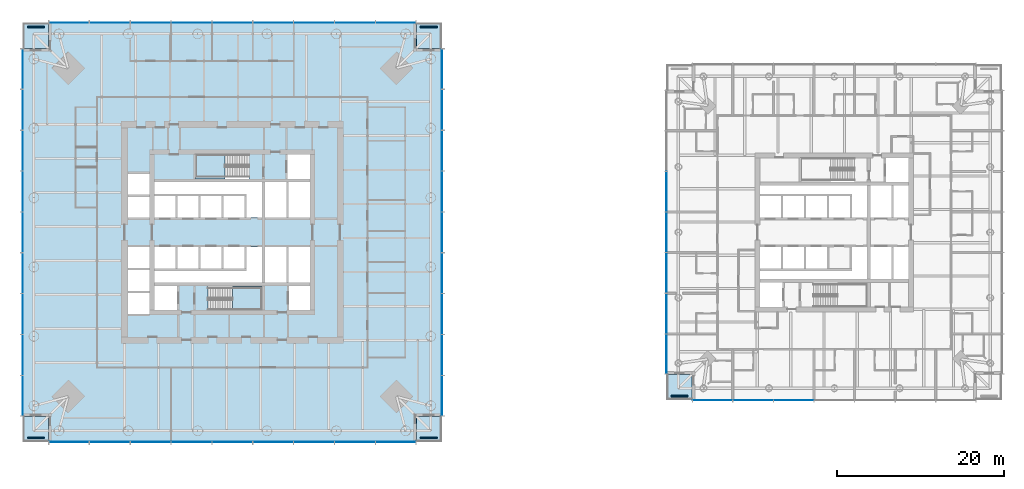
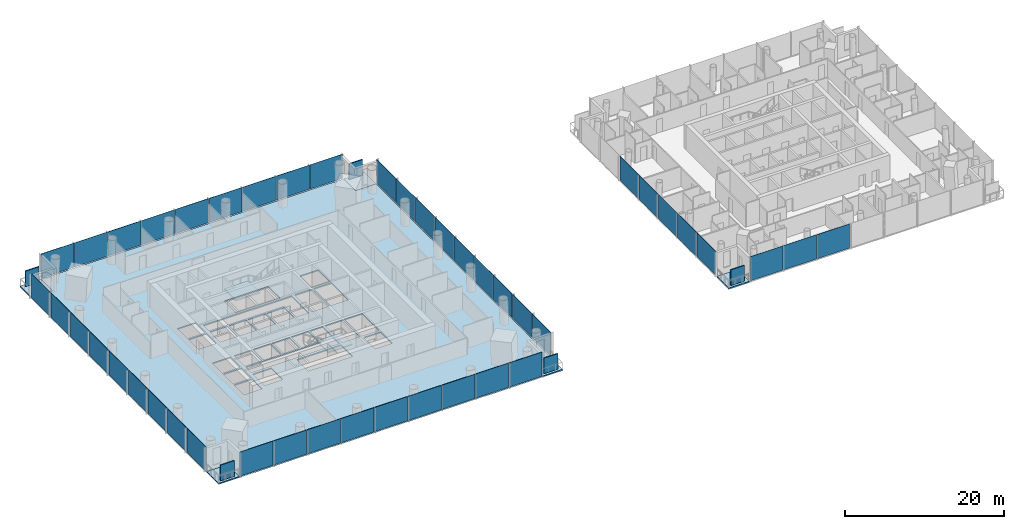
# One storey, part 7 of 20: 49 plates, 8 slabs, 8 elements without a shape of their own.
"""IFC4 building model written with IfcOpenShell, lengths in metres."""

import ifcopenshell
import ifcopenshell.guid

model = None  # the IFC model being written
_history = None  # IfcOwnerHistory: only IFC2X3 demands one
_inside = {}  # id of a spatial element -> (the spatial element, [elements in it])
_under = {}  # id of a project, library or spatial element -> (it, [spatial elements below it])
_declared = {}  # id of a project -> (the project, [libraries it declares])
_typed = {}  # id of a type object -> (the type object, [elements of that type])
_made_of = {}  # id of a material, layer set ... -> (it, [elements and type objects made of it])


def new_model(schema):
    """Start an empty IFC model of exactly this schema.

    Asked for "IFC4X3", IfcOpenShell would pick the latest addendum, in which some entities
    have other attributes; the version numbers below select the first issue.
    IFC2X3 requires an IfcOwnerHistory on every rooted entity: one is made here for all.
    """
    global model, _history
    if schema == "IFC4X3":
        model = ifcopenshell.file(schema_version=(4, 3, 0, 0))
    else:
        model = ifcopenshell.file(schema=schema)
    _inside.clear()
    _under.clear()
    _declared.clear()
    _typed.clear()
    _made_of.clear()
    _history = None
    if model.schema == "IFC2X3":
        org = make("IfcOrganization", Name="unknown")
        user = make(
            "IfcPersonAndOrganization",
            ThePerson=make("IfcPerson", FamilyName="unknown"),
            TheOrganization=org,
        )
        app = make(
            "IfcApplication",
            ApplicationDeveloper=org,
            Version="unknown",
            ApplicationFullName="unknown",
            ApplicationIdentifier="unknown",
        )
        _history = make(
            "IfcOwnerHistory",
            OwningUser=user,
            OwningApplication=app,
            ChangeAction="ADDED",
            CreationDate=0,
        )
    return model


def make(cls, **values):
    """One entity of the class cls with the attributes given. An attribute that is None is left unset."""
    return model.create_entity(
        cls, **{name: value for name, value in values.items() if value is not None}
    )


def rooted(cls, **values):
    """An entity with a GlobalId (a new one), such as an element, a storey or a relation."""
    return make(cls, GlobalId=ifcopenshell.guid.new(), OwnerHistory=_history, **values)


def si_unit(unit_type, name, prefix=None):
    """IfcSIUnit, for example si_unit("LENGTHUNIT", "METRE", prefix="MILLI")."""
    return make("IfcSIUnit", UnitType=unit_type, Prefix=prefix, Name=name)


def assignment(units):
    """IfcUnitAssignment: the units of a project."""
    return None if units is None else make("IfcUnitAssignment", Units=units)


def point(xyz):
    """IfcCartesianPoint."""
    return None if xyz is None else make("IfcCartesianPoint", Coordinates=xyz)


def direction(xyz):
    """IfcDirection."""
    return None if xyz is None else make("IfcDirection", DirectionRatios=xyz)


def frame(location, z_axis=None, x_axis=None):
    """IfcAxis2Placement3D, a coordinate frame: its origin and axes. An axis left out is left unset."""
    return make(
        "IfcAxis2Placement3D",
        Location=point(location),
        Axis=direction(z_axis),
        RefDirection=direction(x_axis),
    )


def frame_2d(location, x_axis=None):
    """IfcAxis2Placement2D, a coordinate frame in the plane: its origin and x axis."""
    return make(
        "IfcAxis2Placement2D", Location=point(location), RefDirection=direction(x_axis)
    )


def origin():
    """The frame at (0, 0, 0) with its axes left unset."""
    return frame((0.0, 0.0, 0.0))


def origin_2d():
    """The frame at (0, 0) in the plane with its x axis left unset."""
    return frame_2d((0.0, 0.0))


def place(relative_to, where):
    """IfcLocalPlacement: puts the frame where relative to a parent placement (None: the world)."""
    return make(
        "IfcLocalPlacement", PlacementRelTo=relative_to, RelativePlacement=where
    )


def context(
    kind, dimensions, precision=None, world=None, true_north=None, identifier=None
):
    """IfcGeometricRepresentationContext, for example the 3D "Model" context."""
    return make(
        "IfcGeometricRepresentationContext",
        ContextIdentifier=identifier,
        ContextType=kind,
        CoordinateSpaceDimension=dimensions,
        Precision=precision,
        WorldCoordinateSystem=world,
        TrueNorth=true_north,
    )


def subcontext(parent, identifier, kind, view, scale=None):
    """IfcGeometricRepresentationSubContext, for example "Body" below "Model"."""
    return make(
        "IfcGeometricRepresentationSubContext",
        ContextIdentifier=identifier,
        ContextType=kind,
        ParentContext=parent,
        TargetScale=scale,
        TargetView=view,
    )


def project(units=None, contexts=None):
    """IfcProject with its units and contexts."""
    return rooted(
        "IfcProject",
        Name="project",
        RepresentationContexts=contexts,
        UnitsInContext=assignment(units),
    )


def spatial(cls, under=None, at=None, **own):
    """A site, building, storey or space (cls), placed at a placement, below another one or the project."""
    s = rooted(cls, ObjectPlacement=at, **own)
    if under is not None:
        _under.setdefault(under.id(), (under, []))[1].append(s)
    return s


def polyline(points):
    """IfcPolyline through the points."""
    return make("IfcPolyline", Points=[point(p) for p in points])


def profile(cls, at=None, kind="AREA", **sizes):
    """A parametric profile (cls). Its sizes go by their IFC names, for example OverallWidth=200.0."""
    return make(cls, ProfileType=kind, Position=at, **sizes)


def rectangle(**sizes):
    """IfcRectangleProfileDef."""
    return profile("IfcRectangleProfileDef", **sizes)


def outline(outer, holes=None, kind="AREA"):
    """IfcArbitraryClosedProfileDef: a profile drawn as a closed curve; with holes, ...WithVoids."""
    if holes is None:
        return make("IfcArbitraryClosedProfileDef", ProfileType=kind, OuterCurve=outer)
    return make(
        "IfcArbitraryProfileDefWithVoids",
        ProfileType=kind,
        OuterCurve=outer,
        InnerCurves=holes,
    )


def extrude(swept, where, along, depth):
    """IfcExtrudedAreaSolid: the profile swept, set in the frame where, extruded along a direction by depth."""
    return make(
        "IfcExtrudedAreaSolid",
        SweptArea=swept,
        Position=where,
        ExtrudedDirection=direction(along),
        Depth=depth,
    )


def shape(context_of_items, identifier, shape_type, items):
    """IfcShapeRepresentation: the items that make up one representation, for example the "Body"."""
    return make(
        "IfcShapeRepresentation",
        ContextOfItems=context_of_items,
        RepresentationIdentifier=identifier,
        RepresentationType=shape_type,
        Items=items,
    )


def material(Name=None, Category=None):
    """IfcMaterial."""
    return make("IfcMaterial", Name=Name, Category=Category)


def layer(
    of_material, thickness, ventilated=None, Name=None, Category=None, Priority=None
):
    """IfcMaterialLayer: one layer of a wall or slab, of a material (None: an air gap)."""
    return make(
        "IfcMaterialLayer",
        Material=of_material,
        LayerThickness=thickness,
        IsVentilated=ventilated,
        Name=Name,
        Category=Category,
        Priority=Priority,
    )


def layer_set(layers, Name=None):
    """IfcMaterialLayerSet."""
    return make("IfcMaterialLayerSet", MaterialLayers=layers, LayerSetName=Name)


def made_of(thing, what):
    """Note that an element or type object is made of a material, layer set ...; save() writes the relation."""
    if what is not None:
        _made_of.setdefault(what.id(), (what, []))[1].append(thing)
    return thing


def type_object(cls, material=None, **own):
    """A type object (cls), such as IfcWallType, which elements share."""
    return made_of(rooted(cls, **own), material)


def element(
    cls,
    number,
    at=None,
    inside=None,
    cuts=None,
    type_object=None,
    material=None,
    context=None,
    identifier="Body",
    shape_type=None,
    held_by="IfcProductDefinitionShape",
    body=None,
    shapes=None,
    **own,
):
    """One element of the class cls, such as IfcWall. Its Tag is "e" and its number.

    at: its placement. inside: the storey or other place that contains it. cuts: it is an
    opening in that element (IfcRelVoidsElement). A single representation is given by context,
    identifier, shape_type and body (its items); several are given by shapes. held_by: the class
    of the entity that holds the representations. save() writes the other relations.
    """
    e = rooted(cls, Tag="e%d" % number, ObjectPlacement=at, **own)
    if body is not None:
        shapes = [shape(context, identifier, shape_type, body)]
    if shapes is not None:
        e.Representation = make(held_by, Representations=shapes)
    if inside is not None:
        _inside.setdefault(inside.id(), (inside, []))[1].append(e)
    if cuts is not None:
        rooted(
            "IfcRelVoidsElement", RelatingBuildingElement=cuts, RelatedOpeningElement=e
        )
    if type_object is not None:
        _typed.setdefault(type_object.id(), (type_object, []))[1].append(e)
    return made_of(e, material)


def aggregate(whole, parts):
    """IfcRelAggregates: a whole, such as a stair, and the parts it consists of."""
    return rooted("IfcRelAggregates", RelatingObject=whole, RelatedObjects=parts)


def save(model, path):
    """Write the relations noted so far, then the file.

    IfcRelAggregates (storeys below a building ...), IfcRelContainedInSpatialStructure (elements
    in a storey), IfcRelDefinesByType, IfcRelAssociatesMaterial and IfcRelDeclares: one each for
    every whole, place, type object, material and project.
    """
    for whole, parts in _under.values():
        aggregate(whole, parts)
    for where, things in _inside.values():
        rooted(
            "IfcRelContainedInSpatialStructure",
            RelatedElements=things,
            RelatingStructure=where,
        )
    for kind, things in _typed.values():
        rooted("IfcRelDefinesByType", RelatedObjects=things, RelatingType=kind)
    for what, things in _made_of.values():
        rooted("IfcRelAssociatesMaterial", RelatedObjects=things, RelatingMaterial=what)
    for by, libraries in _declared.values():
        rooted("IfcRelDeclares", RelatingContext=by, RelatedDefinitions=libraries)
    model.write(path)


model = new_model("IFC4")

# Units and contexts
model_context = context("Model", 3, precision=1e-05, world=origin(), true_north=direction((0.0, 1.0)))
body_context = subcontext(model_context, "Body", "Model", "MODEL_VIEW")
ifc_project = project(units=[si_unit("LENGTHUNIT", "METRE"), si_unit("AREAUNIT", "SQUARE_METRE"), si_unit("VOLUMEUNIT", "CUBIC_METRE"), si_unit("PLANEANGLEUNIT", "RADIAN"), si_unit("MASSUNIT", "GRAM", prefix="KILO")], contexts=[model_context])

# Site, building, storey
site_placement = place(None, origin())
site = spatial("IfcSite", under=ifc_project, at=site_placement, CompositionType="ELEMENT")
building_placement = place(site_placement, origin())
building = spatial("IfcBuilding", under=site, at=building_placement, Name="Ostroluk Exchange", CompositionType="ELEMENT")
storey_placement = place(building_placement, frame((0.0, 0.0, 28.60009765625)))
storey = spatial("IfcBuildingStorey", under=building, at=storey_placement, Name="L06", CompositionType="ELEMENT", Elevation=28.60009765625)

# Curtain wall, plates
ifc_material_1 = material(Name="Laminated clear glass", Category="glass")
curtain_wall_type_1 = type_object("IfcCurtainWallType", Name="Hotel guest floor facade", PredefinedType="USERDEFINED", material=ifc_material_1)
curtain_wall_1_placement = place(storey_placement, origin())
curtain_wall_1 = element("IfcCurtainWall", 1, at=curtain_wall_1_placement, inside=storey, type_object=curtain_wall_type_1, Name="Hotel tower south facade L06", ObjectType="UNITISED CURTAIN WALL", PredefinedType="USERDEFINED")
ifc_material_2 = material(Name="Laminated clear glass", Category="glass")
ifc_layer_1 = layer(ifc_material_2, 0.0400390625)
ifc_layer_set_1 = layer_set([ifc_layer_1], Name="Acoustic laminated glazing 40")
plate_type_1 = type_object("IfcPlateType", Name="Acoustic laminated glazing 40", PredefinedType="CURTAIN_PANEL", material=ifc_layer_set_1)
plate_1_placement = place(storey_placement, frame((102.448486328125, 25.925048828125, 0.080078125), z_axis=(0.0, 0.0, 1.0), x_axis=(1.0, 0.0, 0.0)))
plate_1 = element("IfcPlate", 2, at=plate_1_placement, type_object=plate_type_1, Name="CW-H1 panel 1.1", PredefinedType="CURTAIN_PANEL", context=body_context, shape_type="SweptSolid", body=[
    extrude(rectangle(XDim=4.737060546875, YDim=0.0400390625, at=origin_2d()), origin(), (0.0, 0.0, 1.0), 3.719970703125),
])
plate_2_placement = place(storey_placement, frame((107.28564453125, 25.925048828125, 0.080078125), z_axis=(0.0, 0.0, 1.0), x_axis=(1.0, 0.0, 0.0)))
plate_2 = element("IfcPlate", 3, at=plate_2_placement, type_object=plate_type_1, Name="CW-H1 panel 2.1", PredefinedType="CURTAIN_PANEL", context=body_context, shape_type="SweptSolid", body=[
    extrude(rectangle(XDim=4.777099609375, YDim=0.0400390625, at=origin_2d()), origin(), (0.0, 0.0, 1.0), 3.719970703125),
])
plate_3_placement = place(storey_placement, frame((112.142822265625, 25.925048828125, 0.080078125), z_axis=(0.0, 0.0, 1.0), x_axis=(1.0, 0.0, 0.0)))
plate_3 = element("IfcPlate", 4, at=plate_3_placement, type_object=plate_type_1, Name="CW-H1 panel 3.1", PredefinedType="CURTAIN_PANEL", context=body_context, shape_type="SweptSolid", body=[
    extrude(rectangle(XDim=4.777099609375, YDim=0.0400390625, at=origin_2d()), origin(), (0.0, 0.0, 1.0), 3.719970703125),
])
aggregate(curtain_wall_1, [plate_1, plate_2, plate_3])

curtain_wall_2_placement = place(storey_placement, origin())
curtain_wall_2 = element("IfcCurtainWall", 5, at=curtain_wall_2_placement, inside=storey, type_object=curtain_wall_type_1, Name="Hotel tower west facade L06", ObjectType="UNITISED CURTAIN WALL", PredefinedType="USERDEFINED")
plate_4_placement = place(storey_placement, frame((96.925048828125, 50.857177734375, 0.080078125), z_axis=(0.0, 0.0, 1.0), x_axis=(0.0, -1.0, 0.0)))
plate_4 = element("IfcPlate", 6, at=plate_4_placement, type_object=plate_type_1, Name="CW-H1 panel 3.1", PredefinedType="CURTAIN_PANEL", context=body_context, shape_type="SweptSolid", body=[
    extrude(rectangle(XDim=4.777099609375, YDim=0.0400390625, at=origin_2d()), origin(), (0.0, 0.0, 1.0), 3.719970703125),
])
plate_5_placement = place(storey_placement, frame((96.925048828125, 46.0, 0.080078125), z_axis=(0.0, 0.0, 1.0), x_axis=(0.0, -1.0, 0.0)))
plate_5 = element("IfcPlate", 7, at=plate_5_placement, type_object=plate_type_1, Name="CW-H1 panel 4.1", PredefinedType="CURTAIN_PANEL", context=body_context, shape_type="SweptSolid", body=[
    extrude(rectangle(XDim=4.777099609375, YDim=0.0400390625, at=origin_2d()), origin(), (0.0, 0.0, 1.0), 3.719970703125),
])
plate_6_placement = place(storey_placement, frame((96.925048828125, 41.142822265625, 0.080078125), z_axis=(0.0, 0.0, 1.0), x_axis=(0.0, -1.0, 0.0)))
plate_6 = element("IfcPlate", 8, at=plate_6_placement, type_object=plate_type_1, Name="CW-H1 panel 5.1", PredefinedType="CURTAIN_PANEL", context=body_context, shape_type="SweptSolid", body=[
    extrude(rectangle(XDim=4.777099609375, YDim=0.0400390625, at=origin_2d()), origin(), (0.0, 0.0, 1.0), 3.719970703125),
])
plate_7_placement = place(storey_placement, frame((96.925048828125, 36.28564453125, 0.080078125), z_axis=(0.0, 0.0, 1.0), x_axis=(0.0, -1.0, 0.0)))
plate_7 = element("IfcPlate", 9, at=plate_7_placement, type_object=plate_type_1, Name="CW-H1 panel 6.1", PredefinedType="CURTAIN_PANEL", context=body_context, shape_type="SweptSolid", body=[
    extrude(rectangle(XDim=4.777099609375, YDim=0.0400390625, at=origin_2d()), origin(), (0.0, 0.0, 1.0), 3.719970703125),
])
plate_8_placement = place(storey_placement, frame((96.925048828125, 31.448486328125, 0.080078125), z_axis=(0.0, 0.0, 1.0), x_axis=(0.0, -1.0, 0.0)))
plate_8 = element("IfcPlate", 10, at=plate_8_placement, type_object=plate_type_1, Name="CW-H1 panel 7.1", PredefinedType="CURTAIN_PANEL", context=body_context, shape_type="SweptSolid", body=[
    extrude(rectangle(XDim=4.737060546875, YDim=0.0400390625, at=origin_2d()), origin(), (0.0, 0.0, 1.0), 3.719970703125),
])
aggregate(curtain_wall_2, [plate_4, plate_5, plate_6, plate_7, plate_8])

# Slabs
ifc_material_3 = material(Name="Concrete C35/45", Category="concrete")
ifc_layer_2 = layer(ifc_material_3, 0.179931640625)
ifc_layer_set_2 = layer_set([ifc_layer_2], Name="Balcony slab 180")
slab_type_1 = type_object("IfcSlabType", Name="Balcony slab 180", PredefinedType="USERDEFINED", material=ifc_layer_set_2)
slab_1_placement = place(storey_placement, frame((0.0, 0.0, -0.18017578125)))
element("IfcSlab", 11, at=slab_1_placement, inside=storey, type_object=slab_type_1, Name="Office tower SE corner balcony L06", ObjectType="BALCONY", PredefinedType="USERDEFINED", context=body_context, shape_type="SweptSolid", body=[
    extrude(outline(polyline([(67.0, 21.0), (70.0, 21.0), (70.0, 24.0), (67.0, 24.0), (67.0, 21.0)])), origin(), (0.0, 0.0, 1.0), 0.18017578125),
])
slab_2_placement = place(storey_placement, frame((0.0, 0.0, -0.18017578125)))
element("IfcSlab", 12, at=slab_2_placement, inside=storey, type_object=slab_type_1, Name="Office tower NE corner balcony L06", ObjectType="BALCONY", PredefinedType="USERDEFINED", context=body_context, shape_type="SweptSolid", body=[
    extrude(outline(polyline([(67.0, 68.0), (70.0, 68.0), (70.0, 71.0), (67.0, 71.0), (67.0, 68.0)])), origin(), (0.0, 0.0, 1.0), 0.18017578125),
])
slab_3_placement = place(storey_placement, frame((0.0, 0.0, -0.18017578125)))
element("IfcSlab", 13, at=slab_3_placement, inside=storey, type_object=slab_type_1, Name="Office tower NW corner balcony L06", ObjectType="BALCONY", PredefinedType="USERDEFINED", context=body_context, shape_type="SweptSolid", body=[
    extrude(outline(polyline([(20.0, 68.0), (23.0, 68.0), (23.0, 71.0), (20.0, 71.0), (20.0, 68.0)])), origin(), (0.0, 0.0, 1.0), 0.18017578125),
])
slab_4_placement = place(storey_placement, frame((0.0, 0.0, -0.18017578125)))
element("IfcSlab", 14, at=slab_4_placement, inside=storey, type_object=slab_type_1, Name="Office tower SW corner balcony L06", ObjectType="BALCONY", PredefinedType="USERDEFINED", context=body_context, shape_type="SweptSolid", body=[
    extrude(outline(polyline([(20.0, 21.0), (23.0, 21.0), (23.0, 24.0), (20.0, 24.0), (20.0, 21.0)])), origin(), (0.0, 0.0, 1.0), 0.18017578125),
])
ifc_material_4 = material(Name="Concrete C35/45", Category="concrete")
ifc_layer_3 = layer(ifc_material_4, 0.199951171875)
ifc_layer_set_3 = layer_set([ifc_layer_3], Name="Balcony slab 200")
slab_type_2 = type_object("IfcSlabType", Name="Balcony slab 200", PredefinedType="USERDEFINED", material=ifc_layer_set_3)
slab_5_placement = place(storey_placement, frame((0.0, 0.0, -0.2001953125)))
element("IfcSlab", 15, at=slab_5_placement, inside=storey, type_object=slab_type_2, Name="Hotel tower SW corner balcony L06", ObjectType="BALCONY", PredefinedType="USERDEFINED", context=body_context, shape_type="SweptSolid", body=[
    extrude(outline(polyline([(97.0, 26.0), (100.0, 26.0), (100.0, 29.0), (97.0, 29.0), (97.0, 26.0)])), origin(), (0.0, 0.0, 1.0), 0.2001953125),
])

# Plates
ifc_material_5 = material(Name="Steel S355 trellis with planting", Category="steel")
ifc_layer_4 = layer(ifc_material_5, 0.14990234375)
ifc_layer_set_4 = layer_set([ifc_layer_4], Name="Planted screen 150")
plate_type_2 = type_object("IfcPlateType", Name="Planted screen 150", PredefinedType="USERDEFINED", material=ifc_layer_set_4)
for number, where, z_axis, x_axis, name in (
    (16, (68.5, 21.425048828125, 0.0), (0.0, 0.0, 1.0), (1.0, 0.0, 0.0), "Office tower SE planted screen L06"),
    (17, (68.5, 70.574951171875, 0.0), (0.0, 0.0, 1.0), (1.0, 0.0, 0.0), "Office tower NE planted screen L06"),
    (18, (21.5, 70.574951171875, 0.0), (0.0, 0.0, 1.0), (1.0, 0.0, 0.0), "Office tower NW planted screen L06"),
    (19, (21.5, 21.425048828125, 0.0), (0.0, 0.0, 1.0), (1.0, 0.0, 0.0), "Office tower SW planted screen L06"),
    (20, (98.5, 26.425048828125, 0.0), (0.0, 0.0, 1.0), (1.0, 0.0, 0.0), "Hotel tower SW planted screen L06"),
):
    element("IfcPlate", number, at=place(storey_placement, frame(where, z_axis=z_axis, x_axis=x_axis)), inside=storey, type_object=plate_type_2, Name=name, ObjectType="PLANTED SCREEN", PredefinedType="USERDEFINED", context=body_context, shape_type="SweptSolid", body=[
        extrude(rectangle(XDim=2.0, YDim=0.14990234375, at=origin_2d()), origin(), (0.0, 0.0, 1.0), 2.39990234375),
    ])

# Stair, slab
ifc_material_6 = material(Name="Concrete C30/37", Category="concrete")
stair_type = type_object("IfcStairType", Name="Exit stair half turn 3800", PredefinedType="HALF_TURN_STAIR", material=ifc_material_6)
stair_1_placement = place(storey_placement, origin())
stair_1 = element("IfcStair", 21, at=stair_1_placement, inside=storey, type_object=stair_type, Name="Stair T1-S1 L06", PredefinedType="HALF_TURN_STAIR")
ifc_material_7 = material(Name="Concrete C30/37", Category="concrete")
ifc_layer_5 = layer(ifc_material_7, 0.199951171875)
ifc_layer_set_5 = layer_set([ifc_layer_5], Name="Stair landing 200")
slab_type_3 = type_object("IfcSlabType", Name="Stair landing 200", PredefinedType="LANDING", material=ifc_layer_set_5)
slab_6_placement = place(storey_placement, frame((0.0, 0.0, 1.699951171875)))
slab_6 = element("IfcSlab", 22, at=slab_6_placement, type_object=slab_type_3, Name="T1-S1 landing 1", PredefinedType="LANDING", context=body_context, shape_type="SweptSolid", body=[
    extrude(outline(polyline([(45.0, 36.699951171875), (45.0, 39.60009765625), (48.530029296875, 39.60009765625), (48.530029296875, 36.699951171875), (45.0, 36.699951171875)])), origin(), (0.0, 0.0, 1.0), 0.199951171875),
])
aggregate(stair_1, [slab_6])

stair_2_placement = place(storey_placement, origin())
stair_2 = element("IfcStair", 23, at=stair_2_placement, inside=storey, type_object=stair_type, Name="Stair T1-S2 L06", PredefinedType="HALF_TURN_STAIR")
slab_7_placement = place(storey_placement, frame((0.0, 0.0, 1.699951171875)))
slab_7 = element("IfcSlab", 24, at=slab_7_placement, type_object=slab_type_3, Name="T1-S2 landing 1", PredefinedType="LANDING", context=body_context, shape_type="SweptSolid", body=[
    extrude(outline(polyline([(44.1298828125, 52.39990234375), (44.1298828125, 55.300048828125), (40.60009765625, 55.300048828125), (40.60009765625, 52.39990234375), (44.1298828125, 52.39990234375)])), origin(), (0.0, 0.0, 1.0), 0.199951171875),
])
aggregate(stair_2, [slab_7])

# Slab
ifc_material_8 = material(Name="Concrete C35/45", Category="concrete")
ifc_layer_6 = layer(ifc_material_8, 0.179931640625)
ifc_layer_set_6 = layer_set([ifc_layer_6], Name="Tower floor slab 180 composite")
slab_type_4 = type_object("IfcSlabType", Name="Tower floor slab 180 composite", PredefinedType="FLOOR", material=ifc_layer_set_6)
slab_8_placement = place(storey_placement, frame((0.0, 0.0, -0.18017578125)))
element("IfcSlab", 25, at=slab_8_placement, inside=storey, type_object=slab_type_4, Name="Office tower floor slab L06", PredefinedType="FLOOR", context=body_context, shape_type="SweptSolid", body=[
    extrude(outline(polyline([(23.0, 21.0), (67.0, 21.0), (67.0, 24.0), (70.0, 24.0), (70.0, 68.0), (67.0, 68.0), (67.0, 71.0), (23.0, 71.0), (23.0, 68.0), (20.0, 68.0), (20.0, 24.0), (23.0, 24.0), (23.0, 21.0)]), holes=[polyline([(35.699951171875, 36.699951171875), (38.39990234375, 36.699951171875), (38.39990234375, 39.60009765625), (35.699951171875, 39.60009765625), (35.699951171875, 36.699951171875)]), polyline([(42.110107421875, 36.699951171875), (48.530029296875, 36.699951171875), (48.530029296875, 39.60009765625), (42.110107421875, 39.60009765625), (42.110107421875, 36.699951171875)]), polyline([(51.800048828125, 36.699951171875), (54.300048828125, 36.699951171875), (54.300048828125, 39.60009765625), (51.800048828125, 39.60009765625), (51.800048828125, 36.699951171875)]), polyline([(40.60009765625, 52.39990234375), (47.02001953125, 52.39990234375), (47.02001953125, 55.300048828125), (40.60009765625, 55.300048828125), (40.60009765625, 52.39990234375)]), polyline([(51.60009765625, 52.39990234375), (54.300048828125, 52.39990234375), (54.300048828125, 55.300048828125), (51.60009765625, 55.300048828125), (51.60009765625, 52.39990234375)]), polyline([(35.699951171875, 47.75), (38.199951171875, 47.75), (38.199951171875, 50.35009765625), (35.699951171875, 50.35009765625), (35.699951171875, 47.75)]), polyline([(38.449951171875, 47.75), (40.949951171875, 47.75), (40.949951171875, 50.35009765625), (38.449951171875, 50.35009765625), (38.449951171875, 47.75)]), polyline([(41.199951171875, 47.75), (43.699951171875, 47.75), (43.699951171875, 50.35009765625), (41.199951171875, 50.35009765625), (41.199951171875, 47.75)]), polyline([(43.949951171875, 47.75), (46.449951171875, 47.75), (46.449951171875, 50.35009765625), (43.949951171875, 50.35009765625), (43.949951171875, 47.75)]), polyline([(35.699951171875, 41.64990234375), (38.199951171875, 41.64990234375), (38.199951171875, 44.25), (35.699951171875, 44.25), (35.699951171875, 41.64990234375)]), polyline([(38.449951171875, 41.64990234375), (40.949951171875, 41.64990234375), (40.949951171875, 44.25), (38.449951171875, 44.25), (38.449951171875, 41.64990234375)]), polyline([(41.199951171875, 41.64990234375), (43.699951171875, 41.64990234375), (43.699951171875, 44.25), (41.199951171875, 44.25), (41.199951171875, 41.64990234375)]), polyline([(43.949951171875, 41.64990234375), (46.449951171875, 41.64990234375), (46.449951171875, 44.25), (43.949951171875, 44.25), (43.949951171875, 41.64990234375)]), polyline([(48.929931640625, 47.75), (51.489990234375, 47.75), (51.489990234375, 52.0), (48.929931640625, 52.0), (48.929931640625, 47.75)]), polyline([(51.739990234375, 47.75), (54.300048828125, 47.75), (54.300048828125, 52.0), (51.739990234375, 52.0), (51.739990234375, 47.75)]), polyline([(48.929931640625, 40.0), (51.489990234375, 40.0), (51.489990234375, 44.25), (48.929931640625, 44.25), (48.929931640625, 40.0)]), polyline([(51.739990234375, 40.0), (54.300048828125, 40.0), (54.300048828125, 44.25), (51.739990234375, 44.25), (51.739990234375, 40.0)]), polyline([(48.530029296875, 52.0), (48.530029296875, 47.75), (46.699951171875, 47.75), (46.699951171875, 50.60009765625), (35.699951171875, 50.60009765625), (35.699951171875, 52.0), (48.530029296875, 52.0)]), polyline([(35.699951171875, 40.0), (35.699951171875, 41.39990234375), (46.699951171875, 41.39990234375), (46.699951171875, 44.25), (48.530029296875, 44.25), (48.530029296875, 40.0), (35.699951171875, 40.0)]), polyline([(32.5, 36.25), (35.10009765625, 36.25), (35.10009765625, 38.75), (32.5, 38.75), (32.5, 36.25)]), polyline([(32.5, 39.0), (35.10009765625, 39.0), (35.10009765625, 41.5), (32.5, 41.5), (32.5, 39.0)]), polyline([(32.5, 41.75), (35.10009765625, 41.75), (35.10009765625, 44.25), (32.5, 44.25), (32.5, 41.75)]), polyline([(32.5, 47.75), (35.10009765625, 47.75), (35.10009765625, 50.25), (32.5, 50.25), (32.5, 47.75)]), polyline([(32.5, 50.5), (35.10009765625, 50.5), (35.10009765625, 53.0), (32.5, 53.0), (32.5, 50.5)])]), origin(), (0.0, 0.0, 1.0), 0.18017578125),
])

# Curtain wall, plates
ifc_material_9 = material(Name="Laminated clear glass", Category="glass")
curtain_wall_type_2 = type_object("IfcCurtainWallType", Name="Office tower facade", PredefinedType="USERDEFINED", material=ifc_material_9)
curtain_wall_3_placement = place(storey_placement, origin())
curtain_wall_3 = element("IfcCurtainWall", 26, at=curtain_wall_3_placement, inside=storey, type_object=curtain_wall_type_2, Name="Office tower south facade L06", ObjectType="UNITISED CURTAIN WALL", PredefinedType="USERDEFINED")
ifc_material_10 = material(Name="Laminated clear glass", Category="glass")
ifc_layer_7 = layer(ifc_material_10, 0.0439453125)
ifc_layer_set_7 = layer_set([ifc_layer_7], Name="Triple laminated clear glazing 44")
plate_type_3 = type_object("IfcPlateType", Name="Triple laminated clear glazing 44", PredefinedType="CURTAIN_PANEL", material=ifc_layer_set_7)
plate_9_placement = place(storey_placement, frame((25.46435546875, 20.925048828125, 0.080078125), z_axis=(0.0, 0.0, 1.0), x_axis=(1.0, 0.0, 0.0)))
plate_9 = element("IfcPlate", 27, at=plate_9_placement, type_object=plate_type_3, Name="CW-O1 panel 1.1", PredefinedType="CURTAIN_PANEL", context=body_context, shape_type="SweptSolid", body=[
    extrude(rectangle(XDim=4.768798828125, YDim=0.0439453125, at=origin_2d()), origin(), (0.0, 0.0, 1.0), 3.719970703125),
])
plate_10_placement = place(storey_placement, frame((30.333251953125, 20.925048828125, 0.080078125), z_axis=(0.0, 0.0, 1.0), x_axis=(1.0, 0.0, 0.0)))
plate_10 = element("IfcPlate", 28, at=plate_10_placement, type_object=plate_type_3, Name="CW-O1 panel 2.1", PredefinedType="CURTAIN_PANEL", context=body_context, shape_type="SweptSolid", body=[
    extrude(rectangle(XDim=4.808837890625, YDim=0.0439453125, at=origin_2d()), origin(), (0.0, 0.0, 1.0), 3.719970703125),
])
plate_11_placement = place(storey_placement, frame((35.22216796875, 20.925048828125, 0.080078125), z_axis=(0.0, 0.0, 1.0), x_axis=(1.0, 0.0, 0.0)))
plate_11 = element("IfcPlate", 29, at=plate_11_placement, type_object=plate_type_3, Name="CW-O1 panel 3.1", PredefinedType="CURTAIN_PANEL", context=body_context, shape_type="SweptSolid", body=[
    extrude(rectangle(XDim=4.808837890625, YDim=0.0439453125, at=origin_2d()), origin(), (0.0, 0.0, 1.0), 3.719970703125),
])
plate_12_placement = place(storey_placement, frame((40.111083984375, 20.925048828125, 0.080078125), z_axis=(0.0, 0.0, 1.0), x_axis=(1.0, 0.0, 0.0)))
plate_12 = element("IfcPlate", 30, at=plate_12_placement, type_object=plate_type_3, Name="CW-O1 panel 4.1", PredefinedType="CURTAIN_PANEL", context=body_context, shape_type="SweptSolid", body=[
    extrude(rectangle(XDim=4.808837890625, YDim=0.0439453125, at=origin_2d()), origin(), (0.0, 0.0, 1.0), 3.719970703125),
])
plate_13_placement = place(storey_placement, frame((45.0, 20.925048828125, 0.080078125), z_axis=(0.0, 0.0, 1.0), x_axis=(1.0, 0.0, 0.0)))
plate_13 = element("IfcPlate", 31, at=plate_13_placement, type_object=plate_type_3, Name="CW-O1 panel 5.1", PredefinedType="CURTAIN_PANEL", context=body_context, shape_type="SweptSolid", body=[
    extrude(rectangle(XDim=4.808837890625, YDim=0.0439453125, at=origin_2d()), origin(), (0.0, 0.0, 1.0), 3.719970703125),
])
plate_14_placement = place(storey_placement, frame((49.888916015625, 20.925048828125, 0.080078125), z_axis=(0.0, 0.0, 1.0), x_axis=(1.0, 0.0, 0.0)))
plate_14 = element("IfcPlate", 32, at=plate_14_placement, type_object=plate_type_3, Name="CW-O1 panel 6.1", PredefinedType="CURTAIN_PANEL", context=body_context, shape_type="SweptSolid", body=[
    extrude(rectangle(XDim=4.808837890625, YDim=0.0439453125, at=origin_2d()), origin(), (0.0, 0.0, 1.0), 3.719970703125),
])
plate_15_placement = place(storey_placement, frame((54.77783203125, 20.925048828125, 0.080078125), z_axis=(0.0, 0.0, 1.0), x_axis=(1.0, 0.0, 0.0)))
plate_15 = element("IfcPlate", 33, at=plate_15_placement, type_object=plate_type_3, Name="CW-O1 panel 7.1", PredefinedType="CURTAIN_PANEL", context=body_context, shape_type="SweptSolid", body=[
    extrude(rectangle(XDim=4.808837890625, YDim=0.0439453125, at=origin_2d()), origin(), (0.0, 0.0, 1.0), 3.719970703125),
])
plate_16_placement = place(storey_placement, frame((59.666748046875, 20.925048828125, 0.080078125), z_axis=(0.0, 0.0, 1.0), x_axis=(1.0, 0.0, 0.0)))
plate_16 = element("IfcPlate", 34, at=plate_16_placement, type_object=plate_type_3, Name="CW-O1 panel 8.1", PredefinedType="CURTAIN_PANEL", context=body_context, shape_type="SweptSolid", body=[
    extrude(rectangle(XDim=4.808837890625, YDim=0.0439453125, at=origin_2d()), origin(), (0.0, 0.0, 1.0), 3.719970703125),
])
plate_17_placement = place(storey_placement, frame((64.53564453125, 20.925048828125, 0.080078125), z_axis=(0.0, 0.0, 1.0), x_axis=(1.0, 0.0, 0.0)))
plate_17 = element("IfcPlate", 35, at=plate_17_placement, type_object=plate_type_3, Name="CW-O1 panel 9.1", PredefinedType="CURTAIN_PANEL", context=body_context, shape_type="SweptSolid", body=[
    extrude(rectangle(XDim=4.768798828125, YDim=0.0439453125, at=origin_2d()), origin(), (0.0, 0.0, 1.0), 3.719970703125),
])
aggregate(curtain_wall_3, [plate_9, plate_10, plate_11, plate_12, plate_13, plate_14, plate_15, plate_16, plate_17])

curtain_wall_4_placement = place(storey_placement, origin())
curtain_wall_4 = element("IfcCurtainWall", 36, at=curtain_wall_4_placement, inside=storey, type_object=curtain_wall_type_2, Name="Office tower east facade L06", ObjectType="UNITISED CURTAIN WALL", PredefinedType="USERDEFINED")
plate_18_placement = place(storey_placement, frame((70.074951171875, 26.46435546875, 0.080078125), z_axis=(0.0, 0.0, 1.0), x_axis=(0.0, 1.0, 0.0)))
plate_18 = element("IfcPlate", 37, at=plate_18_placement, type_object=plate_type_3, Name="CW-O1 panel 1.1", PredefinedType="CURTAIN_PANEL", context=body_context, shape_type="SweptSolid", body=[
    extrude(rectangle(XDim=4.768798828125, YDim=0.0439453125, at=origin_2d()), origin(), (0.0, 0.0, 1.0), 3.719970703125),
])
plate_19_placement = place(storey_placement, frame((70.074951171875, 31.333251953125, 0.080078125), z_axis=(0.0, 0.0, 1.0), x_axis=(0.0, 1.0, 0.0)))
plate_19 = element("IfcPlate", 38, at=plate_19_placement, type_object=plate_type_3, Name="CW-O1 panel 2.1", PredefinedType="CURTAIN_PANEL", context=body_context, shape_type="SweptSolid", body=[
    extrude(rectangle(XDim=4.808837890625, YDim=0.0439453125, at=origin_2d()), origin(), (0.0, 0.0, 1.0), 3.719970703125),
])
plate_20_placement = place(storey_placement, frame((70.074951171875, 36.22216796875, 0.080078125), z_axis=(0.0, 0.0, 1.0), x_axis=(0.0, 1.0, 0.0)))
plate_20 = element("IfcPlate", 39, at=plate_20_placement, type_object=plate_type_3, Name="CW-O1 panel 3.1", PredefinedType="CURTAIN_PANEL", context=body_context, shape_type="SweptSolid", body=[
    extrude(rectangle(XDim=4.808837890625, YDim=0.0439453125, at=origin_2d()), origin(), (0.0, 0.0, 1.0), 3.719970703125),
])
plate_21_placement = place(storey_placement, frame((70.074951171875, 41.111083984375, 0.080078125), z_axis=(0.0, 0.0, 1.0), x_axis=(0.0, 1.0, 0.0)))
plate_21 = element("IfcPlate", 40, at=plate_21_placement, type_object=plate_type_3, Name="CW-O1 panel 4.1", PredefinedType="CURTAIN_PANEL", context=body_context, shape_type="SweptSolid", body=[
    extrude(rectangle(XDim=4.808837890625, YDim=0.0439453125, at=origin_2d()), origin(), (0.0, 0.0, 1.0), 3.719970703125),
])
plate_22_placement = place(storey_placement, frame((70.074951171875, 46.0, 0.080078125), z_axis=(0.0, 0.0, 1.0), x_axis=(0.0, 1.0, 0.0)))
plate_22 = element("IfcPlate", 41, at=plate_22_placement, type_object=plate_type_3, Name="CW-O1 panel 5.1", PredefinedType="CURTAIN_PANEL", context=body_context, shape_type="SweptSolid", body=[
    extrude(rectangle(XDim=4.808837890625, YDim=0.0439453125, at=origin_2d()), origin(), (0.0, 0.0, 1.0), 3.719970703125),
])
plate_23_placement = place(storey_placement, frame((70.074951171875, 50.888916015625, 0.080078125), z_axis=(0.0, 0.0, 1.0), x_axis=(0.0, 1.0, 0.0)))
plate_23 = element("IfcPlate", 42, at=plate_23_placement, type_object=plate_type_3, Name="CW-O1 panel 6.1", PredefinedType="CURTAIN_PANEL", context=body_context, shape_type="SweptSolid", body=[
    extrude(rectangle(XDim=4.808837890625, YDim=0.0439453125, at=origin_2d()), origin(), (0.0, 0.0, 1.0), 3.719970703125),
])
plate_24_placement = place(storey_placement, frame((70.074951171875, 55.77783203125, 0.080078125), z_axis=(0.0, 0.0, 1.0), x_axis=(0.0, 1.0, 0.0)))
plate_24 = element("IfcPlate", 43, at=plate_24_placement, type_object=plate_type_3, Name="CW-O1 panel 7.1", PredefinedType="CURTAIN_PANEL", context=body_context, shape_type="SweptSolid", body=[
    extrude(rectangle(XDim=4.808837890625, YDim=0.0439453125, at=origin_2d()), origin(), (0.0, 0.0, 1.0), 3.719970703125),
])
plate_25_placement = place(storey_placement, frame((70.074951171875, 60.666748046875, 0.080078125), z_axis=(0.0, 0.0, 1.0), x_axis=(0.0, 1.0, 0.0)))
plate_25 = element("IfcPlate", 44, at=plate_25_placement, type_object=plate_type_3, Name="CW-O1 panel 8.1", PredefinedType="CURTAIN_PANEL", context=body_context, shape_type="SweptSolid", body=[
    extrude(rectangle(XDim=4.808837890625, YDim=0.0439453125, at=origin_2d()), origin(), (0.0, 0.0, 1.0), 3.719970703125),
])
plate_26_placement = place(storey_placement, frame((70.074951171875, 65.53564453125, 0.080078125), z_axis=(0.0, 0.0, 1.0), x_axis=(0.0, 1.0, 0.0)))
plate_26 = element("IfcPlate", 45, at=plate_26_placement, type_object=plate_type_3, Name="CW-O1 panel 9.1", PredefinedType="CURTAIN_PANEL", context=body_context, shape_type="SweptSolid", body=[
    extrude(rectangle(XDim=4.768798828125, YDim=0.0439453125, at=origin_2d()), origin(), (0.0, 0.0, 1.0), 3.719970703125),
])
aggregate(curtain_wall_4, [plate_18, plate_19, plate_20, plate_21, plate_22, plate_23, plate_24, plate_25, plate_26])

curtain_wall_5_placement = place(storey_placement, origin())
curtain_wall_5 = element("IfcCurtainWall", 46, at=curtain_wall_5_placement, inside=storey, type_object=curtain_wall_type_2, Name="Office tower north facade L06", ObjectType="UNITISED CURTAIN WALL", PredefinedType="USERDEFINED")
plate_27_placement = place(storey_placement, frame((64.53564453125, 71.074951171875, 0.080078125), z_axis=(0.0, 0.0, 1.0), x_axis=(-1.0, 0.0, 0.0)))
plate_27 = element("IfcPlate", 47, at=plate_27_placement, type_object=plate_type_3, Name="CW-O1 panel 1.1", PredefinedType="CURTAIN_PANEL", context=body_context, shape_type="SweptSolid", body=[
    extrude(rectangle(XDim=4.768798828125, YDim=0.0439453125, at=origin_2d()), origin(), (0.0, 0.0, 1.0), 3.719970703125),
])
plate_28_placement = place(storey_placement, frame((59.666748046875, 71.074951171875, 0.080078125), z_axis=(0.0, 0.0, 1.0), x_axis=(-1.0, 0.0, 0.0)))
plate_28 = element("IfcPlate", 48, at=plate_28_placement, type_object=plate_type_3, Name="CW-O1 panel 2.1", PredefinedType="CURTAIN_PANEL", context=body_context, shape_type="SweptSolid", body=[
    extrude(rectangle(XDim=4.808837890625, YDim=0.0439453125, at=origin_2d()), origin(), (0.0, 0.0, 1.0), 3.719970703125),
])
plate_29_placement = place(storey_placement, frame((54.77783203125, 71.074951171875, 0.080078125), z_axis=(0.0, 0.0, 1.0), x_axis=(-1.0, 0.0, 0.0)))
plate_29 = element("IfcPlate", 49, at=plate_29_placement, type_object=plate_type_3, Name="CW-O1 panel 3.1", PredefinedType="CURTAIN_PANEL", context=body_context, shape_type="SweptSolid", body=[
    extrude(rectangle(XDim=4.808837890625, YDim=0.0439453125, at=origin_2d()), origin(), (0.0, 0.0, 1.0), 3.719970703125),
])
plate_30_placement = place(storey_placement, frame((49.888916015625, 71.074951171875, 0.080078125), z_axis=(0.0, 0.0, 1.0), x_axis=(-1.0, 0.0, 0.0)))
plate_30 = element("IfcPlate", 50, at=plate_30_placement, type_object=plate_type_3, Name="CW-O1 panel 4.1", PredefinedType="CURTAIN_PANEL", context=body_context, shape_type="SweptSolid", body=[
    extrude(rectangle(XDim=4.808837890625, YDim=0.0439453125, at=origin_2d()), origin(), (0.0, 0.0, 1.0), 3.719970703125),
])
plate_31_placement = place(storey_placement, frame((45.0, 71.074951171875, 0.080078125), z_axis=(0.0, 0.0, 1.0), x_axis=(-1.0, 0.0, 0.0)))
plate_31 = element("IfcPlate", 51, at=plate_31_placement, type_object=plate_type_3, Name="CW-O1 panel 5.1", PredefinedType="CURTAIN_PANEL", context=body_context, shape_type="SweptSolid", body=[
    extrude(rectangle(XDim=4.808837890625, YDim=0.0439453125, at=origin_2d()), origin(), (0.0, 0.0, 1.0), 3.719970703125),
])
plate_32_placement = place(storey_placement, frame((40.111083984375, 71.074951171875, 0.080078125), z_axis=(0.0, 0.0, 1.0), x_axis=(-1.0, 0.0, 0.0)))
plate_32 = element("IfcPlate", 52, at=plate_32_placement, type_object=plate_type_3, Name="CW-O1 panel 6.1", PredefinedType="CURTAIN_PANEL", context=body_context, shape_type="SweptSolid", body=[
    extrude(rectangle(XDim=4.808837890625, YDim=0.0439453125, at=origin_2d()), origin(), (0.0, 0.0, 1.0), 3.719970703125),
])
plate_33_placement = place(storey_placement, frame((35.22216796875, 71.074951171875, 0.080078125), z_axis=(0.0, 0.0, 1.0), x_axis=(-1.0, 0.0, 0.0)))
plate_33 = element("IfcPlate", 53, at=plate_33_placement, type_object=plate_type_3, Name="CW-O1 panel 7.1", PredefinedType="CURTAIN_PANEL", context=body_context, shape_type="SweptSolid", body=[
    extrude(rectangle(XDim=4.808837890625, YDim=0.0439453125, at=origin_2d()), origin(), (0.0, 0.0, 1.0), 3.719970703125),
])
plate_34_placement = place(storey_placement, frame((30.333251953125, 71.074951171875, 0.080078125), z_axis=(0.0, 0.0, 1.0), x_axis=(-1.0, 0.0, 0.0)))
plate_34 = element("IfcPlate", 54, at=plate_34_placement, type_object=plate_type_3, Name="CW-O1 panel 8.1", PredefinedType="CURTAIN_PANEL", context=body_context, shape_type="SweptSolid", body=[
    extrude(rectangle(XDim=4.808837890625, YDim=0.0439453125, at=origin_2d()), origin(), (0.0, 0.0, 1.0), 3.719970703125),
])
plate_35_placement = place(storey_placement, frame((25.46435546875, 71.074951171875, 0.080078125), z_axis=(0.0, 0.0, 1.0), x_axis=(-1.0, 0.0, 0.0)))
plate_35 = element("IfcPlate", 55, at=plate_35_placement, type_object=plate_type_3, Name="CW-O1 panel 9.1", PredefinedType="CURTAIN_PANEL", context=body_context, shape_type="SweptSolid", body=[
    extrude(rectangle(XDim=4.768798828125, YDim=0.0439453125, at=origin_2d()), origin(), (0.0, 0.0, 1.0), 3.719970703125),
])
aggregate(curtain_wall_5, [plate_27, plate_28, plate_29, plate_30, plate_31, plate_32, plate_33, plate_34, plate_35])

curtain_wall_6_placement = place(storey_placement, origin())
curtain_wall_6 = element("IfcCurtainWall", 56, at=curtain_wall_6_placement, inside=storey, type_object=curtain_wall_type_2, Name="Office tower west facade L06", ObjectType="UNITISED CURTAIN WALL", PredefinedType="USERDEFINED")
plate_36_placement = place(storey_placement, frame((19.925048828125, 65.53564453125, 0.080078125), z_axis=(0.0, 0.0, 1.0), x_axis=(0.0, -1.0, 0.0)))
plate_36 = element("IfcPlate", 57, at=plate_36_placement, type_object=plate_type_3, Name="CW-O1 panel 1.1", PredefinedType="CURTAIN_PANEL", context=body_context, shape_type="SweptSolid", body=[
    extrude(rectangle(XDim=4.768798828125, YDim=0.0439453125, at=origin_2d()), origin(), (0.0, 0.0, 1.0), 3.719970703125),
])
plate_37_placement = place(storey_placement, frame((19.925048828125, 60.666748046875, 0.080078125), z_axis=(0.0, 0.0, 1.0), x_axis=(0.0, -1.0, 0.0)))
plate_37 = element("IfcPlate", 58, at=plate_37_placement, type_object=plate_type_3, Name="CW-O1 panel 2.1", PredefinedType="CURTAIN_PANEL", context=body_context, shape_type="SweptSolid", body=[
    extrude(rectangle(XDim=4.808837890625, YDim=0.0439453125, at=origin_2d()), origin(), (0.0, 0.0, 1.0), 3.719970703125),
])
plate_38_placement = place(storey_placement, frame((19.925048828125, 55.77783203125, 0.080078125), z_axis=(0.0, 0.0, 1.0), x_axis=(0.0, -1.0, 0.0)))
plate_38 = element("IfcPlate", 59, at=plate_38_placement, type_object=plate_type_3, Name="CW-O1 panel 3.1", PredefinedType="CURTAIN_PANEL", context=body_context, shape_type="SweptSolid", body=[
    extrude(rectangle(XDim=4.808837890625, YDim=0.0439453125, at=origin_2d()), origin(), (0.0, 0.0, 1.0), 3.719970703125),
])
plate_39_placement = place(storey_placement, frame((19.925048828125, 50.888916015625, 0.080078125), z_axis=(0.0, 0.0, 1.0), x_axis=(0.0, -1.0, 0.0)))
plate_39 = element("IfcPlate", 60, at=plate_39_placement, type_object=plate_type_3, Name="CW-O1 panel 4.1", PredefinedType="CURTAIN_PANEL", context=body_context, shape_type="SweptSolid", body=[
    extrude(rectangle(XDim=4.808837890625, YDim=0.0439453125, at=origin_2d()), origin(), (0.0, 0.0, 1.0), 3.719970703125),
])
plate_40_placement = place(storey_placement, frame((19.925048828125, 46.0, 0.080078125), z_axis=(0.0, 0.0, 1.0), x_axis=(0.0, -1.0, 0.0)))
plate_40 = element("IfcPlate", 61, at=plate_40_placement, type_object=plate_type_3, Name="CW-O1 panel 5.1", PredefinedType="CURTAIN_PANEL", context=body_context, shape_type="SweptSolid", body=[
    extrude(rectangle(XDim=4.808837890625, YDim=0.0439453125, at=origin_2d()), origin(), (0.0, 0.0, 1.0), 3.719970703125),
])
plate_41_placement = place(storey_placement, frame((19.925048828125, 41.111083984375, 0.080078125), z_axis=(0.0, 0.0, 1.0), x_axis=(0.0, -1.0, 0.0)))
plate_41 = element("IfcPlate", 62, at=plate_41_placement, type_object=plate_type_3, Name="CW-O1 panel 6.1", PredefinedType="CURTAIN_PANEL", context=body_context, shape_type="SweptSolid", body=[
    extrude(rectangle(XDim=4.808837890625, YDim=0.0439453125, at=origin_2d()), origin(), (0.0, 0.0, 1.0), 3.719970703125),
])
plate_42_placement = place(storey_placement, frame((19.925048828125, 36.22216796875, 0.080078125), z_axis=(0.0, 0.0, 1.0), x_axis=(0.0, -1.0, 0.0)))
plate_42 = element("IfcPlate", 63, at=plate_42_placement, type_object=plate_type_3, Name="CW-O1 panel 7.1", PredefinedType="CURTAIN_PANEL", context=body_context, shape_type="SweptSolid", body=[
    extrude(rectangle(XDim=4.808837890625, YDim=0.0439453125, at=origin_2d()), origin(), (0.0, 0.0, 1.0), 3.719970703125),
])
plate_43_placement = place(storey_placement, frame((19.925048828125, 31.333251953125, 0.080078125), z_axis=(0.0, 0.0, 1.0), x_axis=(0.0, -1.0, 0.0)))
plate_43 = element("IfcPlate", 64, at=plate_43_placement, type_object=plate_type_3, Name="CW-O1 panel 8.1", PredefinedType="CURTAIN_PANEL", context=body_context, shape_type="SweptSolid", body=[
    extrude(rectangle(XDim=4.808837890625, YDim=0.0439453125, at=origin_2d()), origin(), (0.0, 0.0, 1.0), 3.719970703125),
])
plate_44_placement = place(storey_placement, frame((19.925048828125, 26.46435546875, 0.080078125), z_axis=(0.0, 0.0, 1.0), x_axis=(0.0, -1.0, 0.0)))
plate_44 = element("IfcPlate", 65, at=plate_44_placement, type_object=plate_type_3, Name="CW-O1 panel 9.1", PredefinedType="CURTAIN_PANEL", context=body_context, shape_type="SweptSolid", body=[
    extrude(rectangle(XDim=4.768798828125, YDim=0.0439453125, at=origin_2d()), origin(), (0.0, 0.0, 1.0), 3.719970703125),
])
aggregate(curtain_wall_6, [plate_36, plate_37, plate_38, plate_39, plate_40, plate_41, plate_42, plate_43, plate_44])

save(model, "model.ifc")
